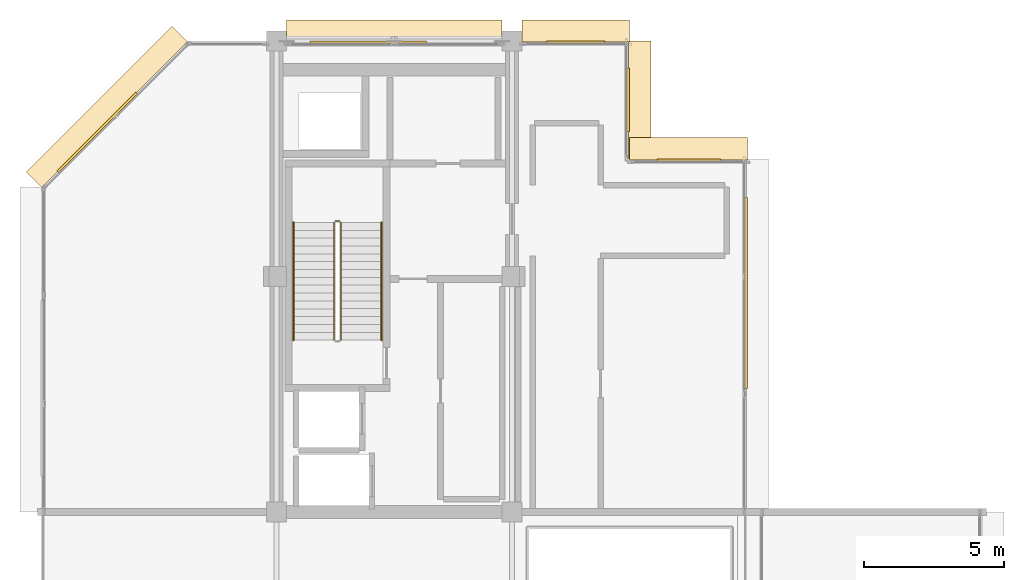
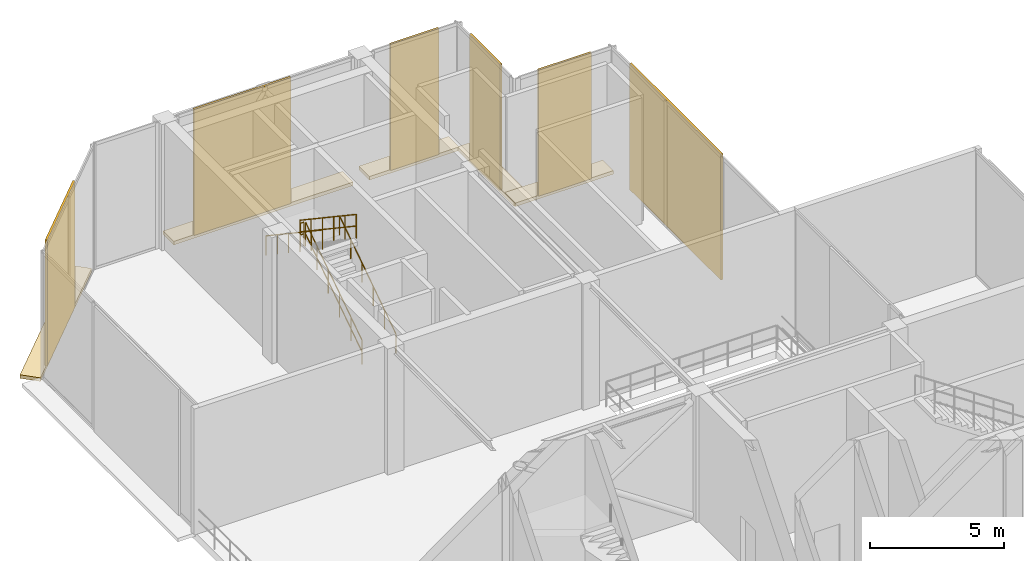
# One storey, part 19 of 19: 11 coverings, 5 railings.
"""IFC4 building model written with IfcOpenShell, lengths in metres."""

from ifc_helpers import new_model, si_unit, direction, frame, origin, origin_2d, place, context, subcontext, project, spatial, polyline, rectangle, circle, outline, extrude, material, layer, layer_set, type_object, element, save


model = new_model("IFC4")

# Units and contexts
model_context = context("Model", 3, precision=1e-05, world=origin(), true_north=direction((0.0, 1.0)))
body_context = subcontext(model_context, "Body", "Model", "MODEL_VIEW")
ifc_project = project(units=[si_unit("LENGTHUNIT", "METRE"), si_unit("AREAUNIT", "SQUARE_METRE"), si_unit("VOLUMEUNIT", "CUBIC_METRE"), si_unit("PLANEANGLEUNIT", "RADIAN"), si_unit("MASSUNIT", "GRAM", prefix="KILO")], contexts=[model_context])

# Site, building, storey
site_placement = place(None, origin())
site = spatial("IfcSite", under=ifc_project, at=site_placement, CompositionType="ELEMENT")
building_placement = place(site_placement, origin())
building = spatial("IfcBuilding", under=site, at=building_placement, Name="Nerrivon Quay Data Exchange", CompositionType="ELEMENT")
storey_placement = place(building_placement, frame((0.0, 0.0, 327.0)))
storey = spatial("IfcBuildingStorey", under=building, at=storey_placement, Name="L78", CompositionType="ELEMENT", Elevation=327.0)

# Coverings
ifc_material_1 = material(Name="Architectural terracotta ceramic", Category="masonry")
ifc_layer_1 = layer(ifc_material_1, 0.159912109375)
ifc_layer_set_1 = layer_set([ifc_layer_1], Name="Architectural terracotta ceramic")
covering_type_1 = type_object("IfcCoveringType", Name="COV-BLD-TERR", PredefinedType="CLADDING", material=ifc_layer_set_1)
covering_1_placement = place(storey_placement, frame((0.0, 0.0, -0.159912109375)))
element("IfcCovering", 1, at=covering_1_placement, inside=storey, type_object=covering_type_1, Name="L78 Horizontal Terracotta SOLAR SCREEN Blade", PredefinedType="CLADDING", context=body_context, shape_type="SweptSolid", body=[
    extrude(outline(polyline([(0.0283203125, 36.771728515625), (5.228271484375, 41.9716796875), (4.669677734375, 42.5302734375), (-0.5302734375, 37.330322265625), (0.0283203125, 36.771728515625)])), origin(), (0.0, 0.0, 1.0), 0.159912109375),
])
covering_2_placement = place(storey_placement, frame((0.0, 0.0, -0.159912109375)))
element("IfcCovering", 2, at=covering_2_placement, inside=storey, type_object=covering_type_1, Name="L78 Horizontal Terracotta SOLAR SCREEN Blade", PredefinedType="CLADDING", context=body_context, shape_type="SweptSolid", body=[
    extrude(outline(polyline([(8.75, 41.9599609375), (16.449951171875, 41.9599609375), (16.449951171875, 42.75), (8.75, 42.75), (8.75, 41.9599609375)])), origin(), (0.0, 0.0, 1.0), 0.159912109375),
])
covering_3_placement = place(storey_placement, frame((0.0, 0.0, -0.159912109375)))
element("IfcCovering", 3, at=covering_3_placement, inside=storey, type_object=covering_type_1, Name="L78 Horizontal Terracotta SOLAR SCREEN Blade", PredefinedType="CLADDING", context=body_context, shape_type="SweptSolid", body=[
    extrude(outline(polyline([(17.14990234375, 41.9599609375), (21.0, 41.9599609375), (21.0, 42.75), (17.14990234375, 42.75), (17.14990234375, 41.9599609375)])), origin(), (0.0, 0.0, 1.0), 0.159912109375),
])
covering_4_placement = place(storey_placement, frame((0.0, 0.0, -0.159912109375)))
element("IfcCovering", 4, at=covering_4_placement, inside=storey, type_object=covering_type_1, Name="L78 Horizontal Terracotta SOLAR SCREEN Blade", PredefinedType="CLADDING", context=body_context, shape_type="SweptSolid", body=[
    extrude(outline(polyline([(20.9599609375, 42.0), (20.9599609375, 37.800048828125), (21.75, 37.800048828125), (21.75, 42.0), (20.9599609375, 42.0)])), origin(), (0.0, 0.0, 1.0), 0.159912109375),
])
covering_5_placement = place(storey_placement, frame((0.0, 0.0, -0.159912109375)))
element("IfcCovering", 5, at=covering_5_placement, inside=storey, type_object=covering_type_1, Name="L78 Horizontal Terracotta SOLAR SCREEN Blade", PredefinedType="CLADDING", context=body_context, shape_type="SweptSolid", body=[
    extrude(outline(polyline([(21.0, 37.760009765625), (25.199951171875, 37.760009765625), (25.199951171875, 38.550048828125), (21.0, 38.550048828125), (21.0, 37.760009765625)])), origin(), (0.0, 0.0, 1.0), 0.159912109375),
])
ifc_layer_2 = layer(ifc_material_1, 0.090087890625)
ifc_layer_set_2 = layer_set([ifc_layer_2], Name="Architectural terracotta ceramic")
covering_type_2 = type_object("IfcCoveringType", Name="COV-SCR-TERR", PredefinedType="CLADDING", material=ifc_layer_set_2)
covering_6_placement = place(storey_placement, frame((2.0078125, 38.744140625, 0.0), z_axis=(0.0, 0.0, 1.0), x_axis=(0.707106781187, 0.707106781187, 0.0)))
element("IfcCovering", 6, at=covering_6_placement, inside=storey, type_object=covering_type_2, Name="L78 Perforated Terracotta SOLAR SCREEN Cassette", PredefinedType="CLADDING", context=body_context, shape_type="SweptSolid", body=[
    extrude(rectangle(XDim=3.970947265625, YDim=0.090087890625, at=origin_2d()), origin(), (0.0, 0.0, 1.0), 5.72509765625),
])
covering_7_placement = place(storey_placement, frame((11.676025390625, 41.955078125, 0.0), z_axis=(0.0, 0.0, 1.0), x_axis=(1.0, 0.0, 0.0)))
element("IfcCovering", 7, at=covering_7_placement, inside=storey, type_object=covering_type_2, Name="L78 Perforated Terracotta SOLAR SCREEN Cassette", PredefinedType="CLADDING", context=body_context, shape_type="SweptSolid", body=[
    extrude(rectangle(XDim=4.157958984375, YDim=0.090087890625, at=origin_2d()), origin(), (0.0, 0.0, 1.0), 5.72509765625),
])
covering_8_placement = place(storey_placement, frame((19.074951171875, 41.955078125, 0.0), z_axis=(0.0, 0.0, 1.0), x_axis=(1.0, 0.0, 0.0)))
element("IfcCovering", 8, at=covering_8_placement, inside=storey, type_object=covering_type_2, Name="L78 Perforated Terracotta SOLAR SCREEN Cassette", PredefinedType="CLADDING", context=body_context, shape_type="SweptSolid", body=[
    extrude(rectangle(XDim=2.0791015625, YDim=0.090087890625, at=origin_2d()), origin(), (0.0, 0.0, 1.0), 5.72509765625),
])
for number, where, z_axis, x_axis, name in (
    (9, (20.955078125, 39.89990234375, 0.0), (0.0, 0.0, 1.0), (0.0, -1.0, 0.0), "L78 Perforated Terracotta SOLAR SCREEN Cassette"),
    (10, (23.10009765625, 37.7548828125, 0.0), (0.0, 0.0, 1.0), (1.0, 0.0, 0.0), "L78 Perforated Terracotta SOLAR SCREEN Cassette"),
):
    element("IfcCovering", number, at=place(storey_placement, frame(where, z_axis=z_axis, x_axis=x_axis)), inside=storey, type_object=covering_type_2, Name=name, PredefinedType="CLADDING", context=body_context, shape_type="SweptSolid", body=[
        extrude(rectangle(XDim=2.26806640625, YDim=0.090087890625, at=origin_2d()), origin(), (0.0, 0.0, 1.0), 5.72509765625),
    ])
covering_9_placement = place(storey_placement, frame((25.155029296875, 33.011962890625, 0.0), z_axis=(0.0, 0.0, 1.0), x_axis=(0.0, -1.0, 0.0)))
element("IfcCovering", 11, at=covering_9_placement, inside=storey, type_object=covering_type_2, Name="L78 Perforated Terracotta SOLAR SCREEN Cassette", PredefinedType="CLADDING", context=body_context, shape_type="SweptSolid", body=[
    extrude(rectangle(XDim=6.803955078125, YDim=0.090087890625, at=origin_2d()), origin(), (0.0, 0.0, 1.0), 5.72509765625),
])

# Railings
ifc_material_2 = material(Name="Steel Grade C350L0 (350 MPa)", Category="steel")
railing_type_1 = type_object("IfcRailingType", Name="RAIL-HAND-HR1", PredefinedType="HANDRAIL", material=ifc_material_2)
railing_1_placement = place(storey_placement, frame((12.14990234375, 31.330078125, 0.1875)))
element("IfcRailing", 12, at=railing_1_placement, inside=storey, type_object=railing_type_1, Name="L78 ST01 stair handrail 1", PredefinedType="HANDRAIL", context=body_context, shape_type="SweptSolid", body=[
    extrude(circle(Radius=0.02392578125, at=origin_2d()), frame((0.0, 0.0, 0.8759765625), z_axis=(0.0, 0.830904186295, 0.556415522067), x_axis=(-1.0, 0.0, 0.0)), (0.0, 0.0, 1.0), 5.0546875),
    extrude(circle(Radius=0.02099609375, at=origin_2d()), origin(), (0.0, 0.0, 1.0), 0.851806640625),
    extrude(circle(Radius=0.02099609375, at=origin_2d()), frame((0.0, 0.840087890625, 0.5625)), (0.0, 0.0, 1.0), 0.851806640625),
    extrude(circle(Radius=0.02099609375, at=origin_2d()), frame((0.0, 1.679931640625, 1.125)), (0.0, 0.0, 1.0), 0.851806640625),
    extrude(circle(Radius=0.02099609375, at=origin_2d()), frame((0.0, 2.52001953125, 1.6875)), (0.0, 0.0, 1.0), 0.851806640625),
    extrude(circle(Radius=0.02099609375, at=origin_2d()), frame((0.0, 3.35986328125, 2.25)), (0.0, 0.0, 1.0), 0.851806640625),
    extrude(circle(Radius=0.02099609375, at=origin_2d()), frame((0.0, 4.199951171875, 2.8125)), (0.0, 0.0, 1.0), 0.851806640625),
])
railing_2_placement = place(storey_placement, frame((9.0, 35.530029296875, 3.1875)))
element("IfcRailing", 13, at=railing_2_placement, inside=storey, type_object=railing_type_1, Name="L78 ST01 stair handrail 2", PredefinedType="HANDRAIL", context=body_context, shape_type="SweptSolid", body=[
    extrude(circle(Radius=0.02392578125, at=origin_2d()), frame((0.0, 0.0, 0.8759765625), z_axis=(0.0, -0.830904186295, 0.556415522067), x_axis=(1.0, 0.0, 0.0)), (0.0, 0.0, 1.0), 5.0546875),
    extrude(circle(Radius=0.02099609375, at=origin_2d()), origin(), (0.0, 0.0, 1.0), 0.851806640625),
    extrude(circle(Radius=0.02099609375, at=origin_2d()), frame((0.0, -0.840087890625, 0.5625)), (0.0, 0.0, 1.0), 0.851806640625),
    extrude(circle(Radius=0.02099609375, at=origin_2d()), frame((0.0, -1.679931640625, 1.125)), (0.0, 0.0, 1.0), 0.851806640625),
    extrude(circle(Radius=0.02099609375, at=origin_2d()), frame((0.0, -2.52001953125, 1.6875)), (0.0, 0.0, 1.0), 0.851806640625),
    extrude(circle(Radius=0.02099609375, at=origin_2d()), frame((0.0, -3.35986328125, 2.25)), (0.0, 0.0, 1.0), 0.851806640625),
    extrude(circle(Radius=0.02099609375, at=origin_2d()), frame((0.0, -4.199951171875, 2.8125)), (0.0, 0.0, 1.0), 0.851806640625),
])
railing_type_2 = type_object("IfcRailingType", Name="RAIL-STAIR-GR1", PredefinedType="BALUSTRADE", material=ifc_material_2)
railing_3_placement = place(storey_placement, frame((10.699951171875, 31.330078125, 0.1875)))
element("IfcRailing", 14, at=railing_3_placement, inside=storey, type_object=railing_type_2, Name="L78 ST01 stair guard 1", PredefinedType="BALUSTRADE", context=body_context, shape_type="SweptSolid", body=[
    extrude(circle(Radius=0.02392578125, at=origin_2d()), frame((0.0, 0.0, 1.076171875), z_axis=(0.0, 0.830904186295, 0.556415522067), x_axis=(-1.0, 0.0, 0.0)), (0.0, 0.0, 1.0), 5.0546875),
    extrude(circle(Radius=0.02392578125, at=origin_2d()), frame((0.0, 0.0, 0.550048828125), z_axis=(0.0, 0.830904186295, 0.556415522067), x_axis=(-1.0, 0.0, 0.0)), (0.0, 0.0, 1.0), 5.0546875),
    extrude(circle(Radius=0.02099609375, at=origin_2d()), origin(), (0.0, 0.0, 1.0), 1.052001953125),
    extrude(circle(Radius=0.02099609375, at=origin_2d()), frame((0.0, 0.840087890625, 0.5625)), (0.0, 0.0, 1.0), 1.052001953125),
    extrude(circle(Radius=0.02099609375, at=origin_2d()), frame((0.0, 1.679931640625, 1.125)), (0.0, 0.0, 1.0), 1.052001953125),
    extrude(circle(Radius=0.02099609375, at=origin_2d()), frame((0.0, 2.52001953125, 1.6875)), (0.0, 0.0, 1.0), 1.052001953125),
    extrude(circle(Radius=0.02099609375, at=origin_2d()), frame((0.0, 3.35986328125, 2.25)), (0.0, 0.0, 1.0), 1.052001953125),
    extrude(circle(Radius=0.02099609375, at=origin_2d()), frame((0.0, 4.199951171875, 2.8125)), (0.0, 0.0, 1.0), 1.052001953125),
])
railing_4_placement = place(storey_placement, frame((10.64990234375, 35.580078125, 3.0)))
element("IfcRailing", 15, at=railing_4_placement, inside=storey, type_object=railing_type_2, Name="L78 ST01 stair guard 2", PredefinedType="BALUSTRADE", context=body_context, shape_type="SweptSolid", body=[
    extrude(circle(Radius=0.02392578125, at=origin_2d()), frame((0.0, 0.0, 1.076171875), z_axis=(-1.0, 0.0, 0.0), x_axis=(0.0, -1.0, 0.0)), (0.0, 0.0, 1.0), 0.14990234375),
    extrude(circle(Radius=0.02392578125, at=origin_2d()), frame((0.0, 0.0, 0.550048828125), z_axis=(-1.0, 0.0, 0.0), x_axis=(0.0, -1.0, 0.0)), (0.0, 0.0, 1.0), 0.14990234375),
    extrude(circle(Radius=0.02099609375, at=origin_2d()), origin(), (0.0, 0.0, 1.0), 1.052001953125),
    extrude(circle(Radius=0.02099609375, at=origin_2d()), frame((-0.14990234375, 0.0, 0.0)), (0.0, 0.0, 1.0), 1.052001953125),
])
railing_5_placement = place(storey_placement, frame((10.449951171875, 35.530029296875, 3.1875)))
element("IfcRailing", 16, at=railing_5_placement, inside=storey, type_object=railing_type_2, Name="L78 ST01 stair guard 3", PredefinedType="BALUSTRADE", context=body_context, shape_type="SweptSolid", body=[
    extrude(circle(Radius=0.02392578125, at=origin_2d()), frame((0.0, 0.0, 1.076171875), z_axis=(0.0, -0.830904186295, 0.556415522067), x_axis=(1.0, 0.0, 0.0)), (0.0, 0.0, 1.0), 5.0546875),
    extrude(circle(Radius=0.02392578125, at=origin_2d()), frame((0.0, 0.0, 0.550048828125), z_axis=(0.0, -0.830904186295, 0.556415522067), x_axis=(1.0, 0.0, 0.0)), (0.0, 0.0, 1.0), 5.0546875),
    extrude(circle(Radius=0.02099609375, at=origin_2d()), origin(), (0.0, 0.0, 1.0), 1.052001953125),
    extrude(circle(Radius=0.02099609375, at=origin_2d()), frame((0.0, -0.840087890625, 0.5625)), (0.0, 0.0, 1.0), 1.052001953125),
    extrude(circle(Radius=0.02099609375, at=origin_2d()), frame((0.0, -1.679931640625, 1.125)), (0.0, 0.0, 1.0), 1.052001953125),
    extrude(circle(Radius=0.02099609375, at=origin_2d()), frame((0.0, -2.52001953125, 1.6875)), (0.0, 0.0, 1.0), 1.052001953125),
    extrude(circle(Radius=0.02099609375, at=origin_2d()), frame((0.0, -3.35986328125, 2.25)), (0.0, 0.0, 1.0), 1.052001953125),
    extrude(circle(Radius=0.02099609375, at=origin_2d()), frame((0.0, -4.199951171875, 2.8125)), (0.0, 0.0, 1.0), 1.052001953125),
])

save(model, "model.ifc")
